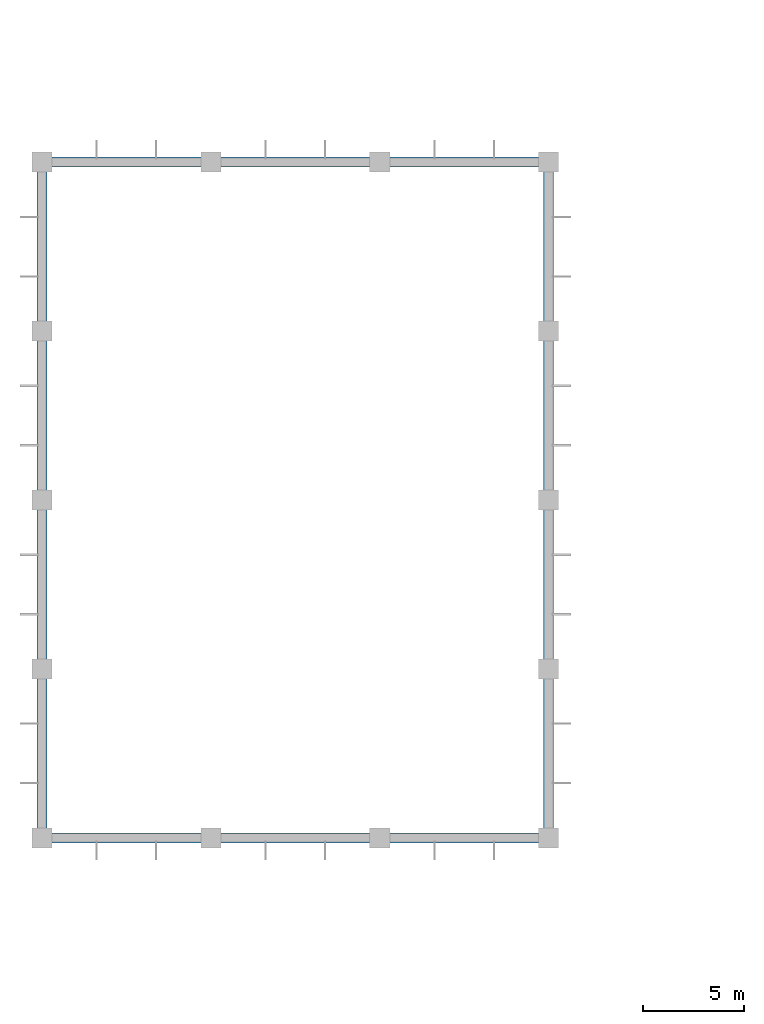
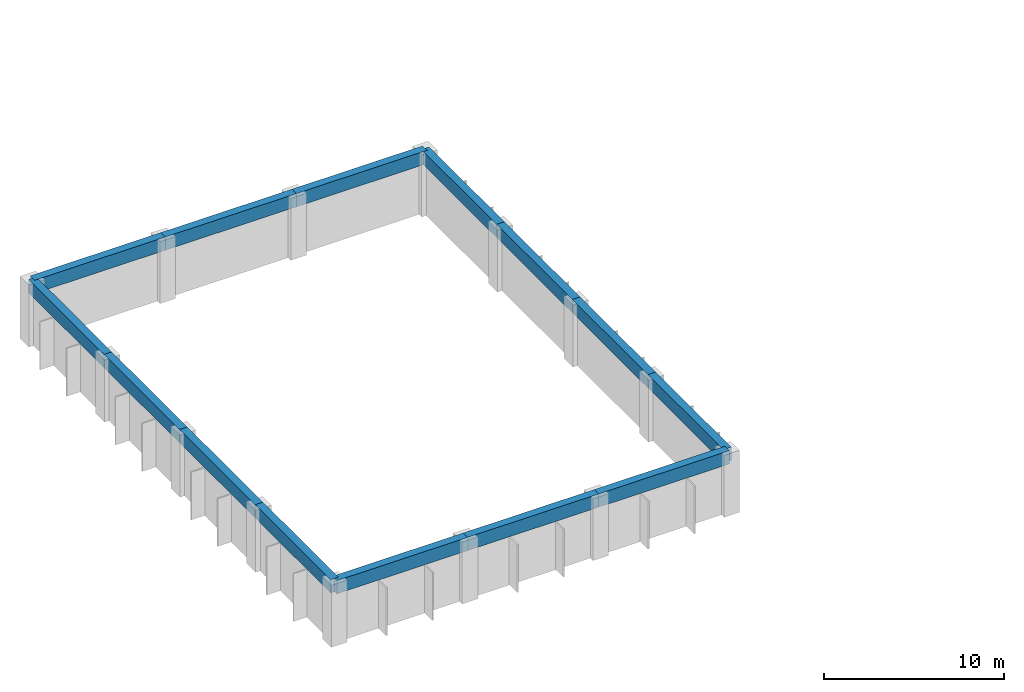
# One storey, part 4 of 18: 14 beams.
"""IFC4 building model written with IfcOpenShell, lengths in metres."""

from ifc_helpers import new_model, si_unit, direction, frame, origin, origin_2d, place, context, subcontext, project, spatial, rectangle, extrude, material, material_profile, profile_set, type_object, element, save


model = new_model("IFC4")

# Units and contexts
model_context = context("Model", 3, precision=1e-05, world=origin(), true_north=direction((0.0, 1.0)))
body_context = subcontext(model_context, "Body", "Model", "MODEL_VIEW")
ifc_project = project(units=[si_unit("LENGTHUNIT", "METRE"), si_unit("AREAUNIT", "SQUARE_METRE"), si_unit("VOLUMEUNIT", "CUBIC_METRE"), si_unit("PLANEANGLEUNIT", "RADIAN"), si_unit("MASSUNIT", "GRAM", prefix="KILO")], contexts=[model_context])

# Site, building, storey
site_placement = place(None, origin())
site = spatial("IfcSite", under=ifc_project, at=site_placement, CompositionType="ELEMENT")
building_placement = place(site_placement, origin())
building = spatial("IfcBuilding", under=site, at=building_placement, Name="Xuanlan Plaza Opera House", CompositionType="ELEMENT")
storey_placement = place(building_placement, frame((0.0, 0.0, 32.10009765625)))
storey = spatial("IfcBuildingStorey", under=building, at=storey_placement, Name="L07", CompositionType="ELEMENT", Elevation=32.10009765625)

# Beams
ifc_material = material(Name="Concrete C40", Category="concrete")
ifc_material_profile = material_profile(ifc_material, rectangle(XDim=0.5, YDim=0.89990234375, at=origin_2d()), Name="RC-BM 500x900")
ifc_profile_set = profile_set([ifc_material_profile], Name="Concrete C40")
beam_type = type_object("IfcBeamType", Name="STR-BM-B-03", PredefinedType="BEAM", material=ifc_profile_set)
beam_1_placement = place(storey_placement, frame((42.0, 42.0, 3.75), z_axis=(0.0, 1.0, 0.0), x_axis=(-1.0, 0.0, 0.0)))
element("IfcBeam", 1, at=beam_1_placement, inside=storey, type_object=beam_type, Name="Fly Tower Ring Beam Y L07 6/F-G", PredefinedType="BEAM", context=body_context, shape_type="SweptSolid", body=[
    extrude(rectangle(XDim=0.5, YDim=0.89990234375, at=origin_2d()), origin(), (0.0, 0.0, 1.0), 8.39990234375),
])
beam_2_placement = place(storey_placement, frame((42.0, 50.39990234375, 3.75), z_axis=(0.0, 1.0, 0.0), x_axis=(-1.0, 0.0, 0.0)))
element("IfcBeam", 2, at=beam_2_placement, inside=storey, type_object=beam_type, Name="Fly Tower Ring Beam Y L07 6/G-H", PredefinedType="BEAM", context=body_context, shape_type="SweptSolid", body=[
    extrude(rectangle(XDim=0.5, YDim=0.89990234375, at=origin_2d()), origin(), (0.0, 0.0, 1.0), 8.400146484375),
])
beam_3_placement = place(storey_placement, frame((42.0, 58.800048828125, 3.75), z_axis=(0.0, 1.0, 0.0), x_axis=(-1.0, 0.0, 0.0)))
element("IfcBeam", 3, at=beam_3_placement, inside=storey, type_object=beam_type, Name="Fly Tower Ring Beam Y L07 6/H-I", PredefinedType="BEAM", context=body_context, shape_type="SweptSolid", body=[
    extrude(rectangle(XDim=0.5, YDim=0.89990234375, at=origin_2d()), origin(), (0.0, 0.0, 1.0), 8.39990234375),
])
beam_4_placement = place(storey_placement, frame((42.0, 67.199951171875, 3.75), z_axis=(0.0, 1.0, 0.0), x_axis=(-1.0, 0.0, 0.0)))
element("IfcBeam", 4, at=beam_4_placement, inside=storey, type_object=beam_type, Name="Fly Tower Ring Beam Y L07 6/I-J", PredefinedType="BEAM", context=body_context, shape_type="SweptSolid", body=[
    extrude(rectangle(XDim=0.5, YDim=0.89990234375, at=origin_2d()), origin(), (0.0, 0.0, 1.0), 8.400146484375),
])
beam_5_placement = place(storey_placement, frame((67.199951171875, 42.0, 3.75), z_axis=(0.0, 1.0, 0.0), x_axis=(-1.0, 0.0, 0.0)))
element("IfcBeam", 5, at=beam_5_placement, inside=storey, type_object=beam_type, Name="Fly Tower Ring Beam Y L07 9/F-G", PredefinedType="BEAM", context=body_context, shape_type="SweptSolid", body=[
    extrude(rectangle(XDim=0.5, YDim=0.89990234375, at=origin_2d()), origin(), (0.0, 0.0, 1.0), 8.39990234375),
])
beam_6_placement = place(storey_placement, frame((67.199951171875, 50.39990234375, 3.75), z_axis=(0.0, 1.0, 0.0), x_axis=(-1.0, 0.0, 0.0)))
element("IfcBeam", 6, at=beam_6_placement, inside=storey, type_object=beam_type, Name="Fly Tower Ring Beam Y L07 9/G-H", PredefinedType="BEAM", context=body_context, shape_type="SweptSolid", body=[
    extrude(rectangle(XDim=0.5, YDim=0.89990234375, at=origin_2d()), origin(), (0.0, 0.0, 1.0), 8.400146484375),
])
beam_7_placement = place(storey_placement, frame((67.199951171875, 58.800048828125, 3.75), z_axis=(0.0, 1.0, 0.0), x_axis=(-1.0, 0.0, 0.0)))
element("IfcBeam", 7, at=beam_7_placement, inside=storey, type_object=beam_type, Name="Fly Tower Ring Beam Y L07 9/H-I", PredefinedType="BEAM", context=body_context, shape_type="SweptSolid", body=[
    extrude(rectangle(XDim=0.5, YDim=0.89990234375, at=origin_2d()), origin(), (0.0, 0.0, 1.0), 8.39990234375),
])
beam_8_placement = place(storey_placement, frame((67.199951171875, 67.199951171875, 3.75), z_axis=(0.0, 1.0, 0.0), x_axis=(-1.0, 0.0, 0.0)))
element("IfcBeam", 8, at=beam_8_placement, inside=storey, type_object=beam_type, Name="Fly Tower Ring Beam Y L07 9/I-J", PredefinedType="BEAM", context=body_context, shape_type="SweptSolid", body=[
    extrude(rectangle(XDim=0.5, YDim=0.89990234375, at=origin_2d()), origin(), (0.0, 0.0, 1.0), 8.400146484375),
])
beam_9_placement = place(storey_placement, frame((42.0, 42.0, 3.75), z_axis=(1.0, 0.0, 0.0), x_axis=(0.0, 1.0, 0.0)))
element("IfcBeam", 9, at=beam_9_placement, inside=storey, type_object=beam_type, Name="Fly Tower Ring Beam X L07 6-7/F", PredefinedType="BEAM", context=body_context, shape_type="SweptSolid", body=[
    extrude(rectangle(XDim=0.5, YDim=0.89990234375, at=origin_2d()), origin(), (0.0, 0.0, 1.0), 8.39990234375),
])
beam_10_placement = place(storey_placement, frame((50.39990234375, 42.0, 3.75), z_axis=(1.0, 0.0, 0.0), x_axis=(0.0, 1.0, 0.0)))
element("IfcBeam", 10, at=beam_10_placement, inside=storey, type_object=beam_type, Name="Fly Tower Ring Beam X L07 7-8/F", PredefinedType="BEAM", context=body_context, shape_type="SweptSolid", body=[
    extrude(rectangle(XDim=0.5, YDim=0.89990234375, at=origin_2d()), origin(), (0.0, 0.0, 1.0), 8.400146484375),
])
for number, where, z_axis, x_axis, name in (
    (11, (58.800048828125, 42.0, 3.75), (1.0, 0.0, 0.0), (0.0, 1.0, 0.0), "Fly Tower Ring Beam X L07 8-9/F"),
    (12, (42.0, 75.60009765625, 3.75), (1.0, 0.0, 0.0), (0.0, 1.0, 0.0), "Fly Tower Ring Beam X L07 6-7/J"),
):
    element("IfcBeam", number, at=place(storey_placement, frame(where, z_axis=z_axis, x_axis=x_axis)), inside=storey, type_object=beam_type, Name=name, PredefinedType="BEAM", context=body_context, shape_type="SweptSolid", body=[
        extrude(rectangle(XDim=0.5, YDim=0.89990234375, at=origin_2d()), origin(), (0.0, 0.0, 1.0), 8.39990234375),
    ])
beam_11_placement = place(storey_placement, frame((50.39990234375, 75.60009765625, 3.75), z_axis=(1.0, 0.0, 0.0), x_axis=(0.0, 1.0, 0.0)))
element("IfcBeam", 13, at=beam_11_placement, inside=storey, type_object=beam_type, Name="Fly Tower Ring Beam X L07 7-8/J", PredefinedType="BEAM", context=body_context, shape_type="SweptSolid", body=[
    extrude(rectangle(XDim=0.5, YDim=0.89990234375, at=origin_2d()), origin(), (0.0, 0.0, 1.0), 8.400146484375),
])
beam_12_placement = place(storey_placement, frame((58.800048828125, 75.60009765625, 3.75), z_axis=(1.0, 0.0, 0.0), x_axis=(0.0, 1.0, 0.0)))
element("IfcBeam", 14, at=beam_12_placement, inside=storey, type_object=beam_type, Name="Fly Tower Ring Beam X L07 8-9/J", PredefinedType="BEAM", context=body_context, shape_type="SweptSolid", body=[
    extrude(rectangle(XDim=0.5, YDim=0.89990234375, at=origin_2d()), origin(), (0.0, 0.0, 1.0), 8.39990234375),
])

save(model, "model.ifc")
